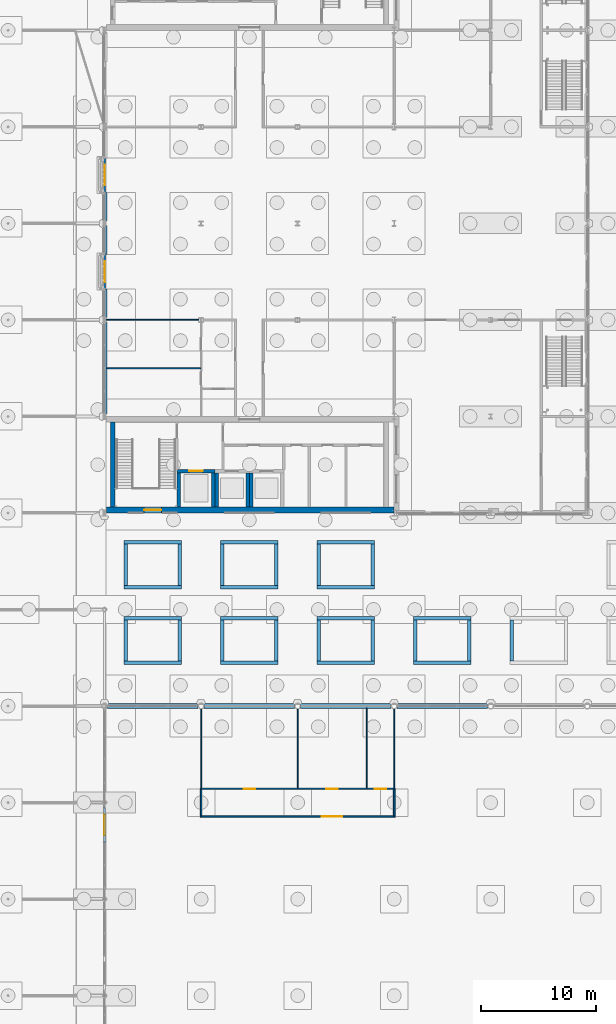
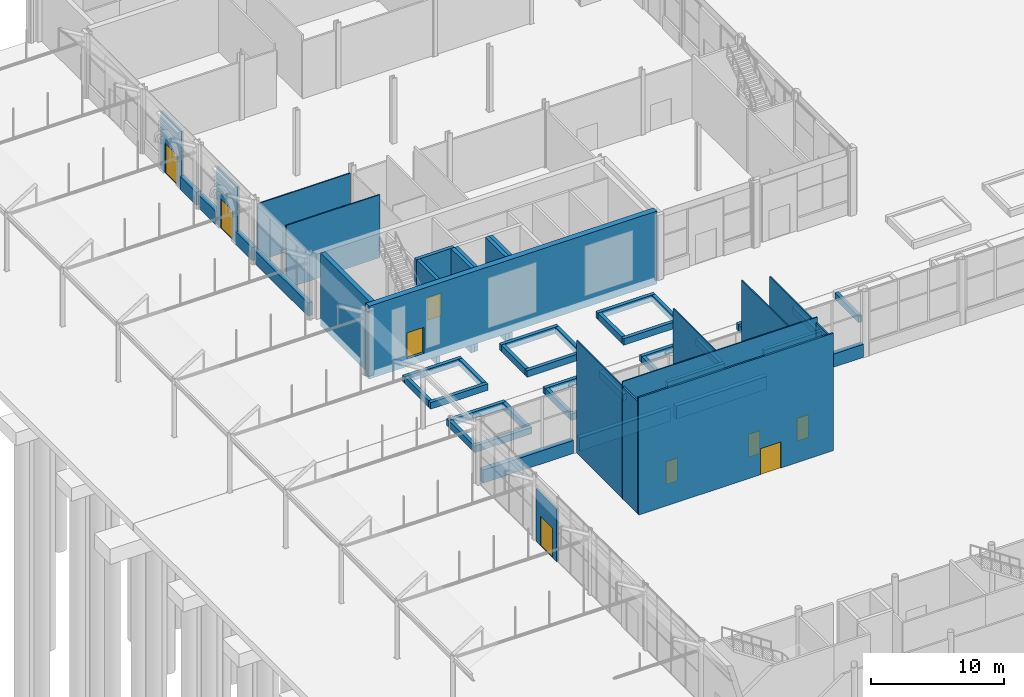
# One storey, part 185 of 212: 58 walls, 9 doors, 9 openings.
"""IFC4 building model written with IfcOpenShell, lengths in metres."""

from ifc_helpers import new_model, si_unit, direction, frame, frame_2d, origin, place, context, subcontext, project, spatial, rectangle, extrude, material, layer, layer_set, type_object, element, fill, save


model = new_model("IFC4")

# Units and contexts
model_context = context("Model", 3, precision=1e-05, world=origin(), true_north=direction((0.0, 1.0)))
body_context = subcontext(model_context, "Body", "Model", "MODEL_VIEW")
ifc_project = project(units=[si_unit("LENGTHUNIT", "METRE"), si_unit("AREAUNIT", "SQUARE_METRE"), si_unit("VOLUMEUNIT", "CUBIC_METRE"), si_unit("PLANEANGLEUNIT", "RADIAN"), si_unit("MASSUNIT", "GRAM", prefix="KILO")], contexts=[model_context])

# Site, building, storey
site_placement = place(None, origin())
site = spatial("IfcSite", under=ifc_project, at=site_placement, CompositionType="ELEMENT")
building_placement = place(site_placement, origin())
building = spatial("IfcBuilding", under=site, at=building_placement, Name="Catenary Quay Ferry Terminal", CompositionType="ELEMENT")
storey_placement = place(building_placement, origin())
storey = spatial("IfcBuildingStorey", under=building, at=storey_placement, Name="L00", CompositionType="ELEMENT", Elevation=0.0)

# Wall
ifc_material_1 = material(Name="Concrete C50/60", Category="concrete")
ifc_layer_1 = layer(ifc_material_1, 0.39990234375)
ifc_layer_set_1 = layer_set([ifc_layer_1], Name="Core wall 400")
wall_type_1 = type_object("IfcWallType", Name="Core wall 400", PredefinedType="SHEAR", material=ifc_layer_set_1)
wall_1_placement = place(storey_placement, frame((25.89990234375, 160.10009765625, -0.699951171875), z_axis=(0.0, 0.0, 1.0), x_axis=(0.0, 1.0, 0.0)))
element("IfcWall", 1, at=wall_1_placement, inside=storey, type_object=wall_type_1, Name="Core wall S3", PredefinedType="SHEAR", context=body_context, shape_type="SweptSolid", body=[
    extrude(rectangle(XDim=7.39990234375, YDim=0.39990234375, at=frame_2d((3.699951171875, 0.0))), origin(), (0.0, 0.0, 1.0), 6.699951171875),
])

# Wall, opening, door
ifc_material_2 = material(Name="Concrete C50/60", Category="concrete")
ifc_layer_2 = layer(ifc_material_2, 0.5)
ifc_layer_set_2 = layer_set([ifc_layer_2], Name="Core wall 500")
wall_type_2 = type_object("IfcWallType", Name="Core wall 500", PredefinedType="SHEAR", material=ifc_layer_set_2)
wall_2_placement = place(storey_placement, frame((25.35009765625, 159.85009765625, -0.699951171875), z_axis=(0.0, 0.0, 1.0), x_axis=(1.0, 0.0, 0.0)))
wall_2 = element("IfcWall", 2, at=wall_2_placement, inside=storey, type_object=wall_type_2, Name="Core wall S1", PredefinedType="SHEAR", context=body_context, shape_type="SweptSolid", body=[
    extrude(rectangle(XDim=25.04296875, YDim=0.5, at=frame_2d((12.521484375, 0.0))), origin(), (0.0, 0.0, 1.0), 6.699951171875),
])
opening_1_placement = place(wall_2_placement, frame((3.300048828125, 0.0, 0.699951171875)))
opening_1 = element("IfcOpeningElement", 3, at=opening_1_placement, cuts=wall_2, Name="Opening D34", PredefinedType="OPENING", context=body_context, shape_type="SweptSolid", body=[
    extrude(rectangle(XDim=1.5, YDim=2.39990234375, at=frame_2d((0.75, 1.199951171875))), frame((0.0, 0.260009765625, 0.0), z_axis=(0.0, -1.0, 0.0), x_axis=(1.0, 0.0, 0.0)), (0.0, 0.0, 1.0), 0.52001953125),
])
ifc_material_3 = material(Name="Steel", Category="steel")
door_type_1 = type_object("IfcDoorType", Name="DXE1500", OperationType="SINGLE_SWING_LEFT", PredefinedType="DOOR", material=ifc_material_3)
door_1_placement = place(opening_1_placement, frame((1.5, 0.0, 0.0), z_axis=(0.0, 0.0, 1.0), x_axis=(-1.0, 0.0, 0.0)))
door_1 = element("IfcDoor", 4, at=door_1_placement, inside=storey, type_object=door_type_1, Name="Stair core door D34", OperationType="SINGLE_SWING_RIGHT", OverallHeight=2.39990234375, OverallWidth=1.5, PredefinedType="DOOR", context=body_context, shape_type="SweptSolid", body=[
    extrude(rectangle(XDim=1.5, YDim=2.39990234375, at=frame_2d((0.75, 1.199951171875))), frame((0.0, 0.02490234375, 0.0), z_axis=(0.0, -1.0, 0.0), x_axis=(1.0, 0.0, 0.0)), (0.0, 0.0, 1.0), 0.050048828125),
])
fill(opening_1, door_1)

# Walls
ifc_material_4 = material(Name="Masonry and insulation", Category="masonry")
ifc_layer_3 = layer(ifc_material_4, 0.39990234375)
ifc_layer_set_3 = layer_set([ifc_layer_3], Name="EW14")
wall_type_3 = type_object("IfcWallType", Name="EW14", PredefinedType="SOLIDWALL", material=ifc_layer_set_3)
wall_3_placement = place(storey_placement, frame((25.4599609375, 142.800048828125, 0.0), z_axis=(0.0, 0.0, 1.0), x_axis=(1.0, 0.0, 0.0)))
element("IfcWall", 5, at=wall_3_placement, inside=storey, type_object=wall_type_3, Name="Plinth hall wall WL20", PredefinedType="SOLIDWALL", context=body_context, shape_type="SweptSolid", body=[
    extrude(rectangle(XDim=7.880126953125, YDim=0.39990234375, at=frame_2d((3.93994140625, 0.0))), origin(), (0.0, 0.0, 1.0), 1.199951171875),
])
for number, where, z_axis, x_axis, name in (
    (6, (33.860107421875, 142.800048828125, 0.0), (0.0, 0.0, 1.0), (1.0, 0.0, 0.0), "Plinth hall wall WL21"),
    (7, (42.260009765625, 142.800048828125, 0.0), (0.0, 0.0, 1.0), (1.0, 0.0, 0.0), "Plinth hall wall WL22"),
):
    element("IfcWall", number, at=place(storey_placement, frame(where, z_axis=z_axis, x_axis=x_axis)), inside=storey, type_object=wall_type_3, Name=name, PredefinedType="SOLIDWALL", context=body_context, shape_type="SweptSolid", body=[
        extrude(rectangle(XDim=7.8798828125, YDim=0.39990234375, at=frame_2d((3.93994140625, 0.0))), origin(), (0.0, 0.0, 1.0), 1.199951171875),
    ])
wall_4_placement = place(storey_placement, frame((50.659912109375, 142.800048828125, 0.0), z_axis=(0.0, 0.0, 1.0), x_axis=(1.0, 0.0, 0.0)))
element("IfcWall", 8, at=wall_4_placement, inside=storey, type_object=wall_type_3, Name="Plinth hall wall WL23", PredefinedType="SOLIDWALL", context=body_context, shape_type="SweptSolid", body=[
    extrude(rectangle(XDim=7.880126953125, YDim=0.39990234375, at=frame_2d((3.93994140625, 0.0))), origin(), (0.0, 0.0, 1.0), 1.199951171875),
])
wall_5_placement = place(storey_placement, frame((25.199951171875, 168.199951171875, 0.0), z_axis=(0.0, 0.0, 1.0), x_axis=(0.0, 1.0, 0.0)))
element("IfcWall", 9, at=wall_5_placement, inside=storey, type_object=wall_type_3, Name="Plinth wing wall WL52", PredefinedType="SOLIDWALL", context=body_context, shape_type="SweptSolid", body=[
    extrude(rectangle(XDim=8.0, YDim=0.39990234375, at=frame_2d((4.0, 0.0))), origin(), (0.0, 0.0, 1.0), 1.199951171875),
])
for number, where, z_axis, x_axis, name in (
    (10, (25.199951171875, 176.60009765625, 0.0), (0.0, 0.0, 1.0), (0.0, 1.0, 0.0), "Plinth wing wall WL53"),
    (11, (25.199951171875, 182.10009765625, 0.0), (0.0, 0.0, 1.0), (0.0, 1.0, 0.0), "Plinth wing wall WL54"),
    (12, (25.199951171875, 185.0, 0.0), (0.0, 0.0, 1.0), (0.0, 1.0, 0.0), "Plinth wing wall WL56"),
):
    element("IfcWall", number, at=place(storey_placement, frame(where, z_axis=z_axis, x_axis=x_axis)), inside=storey, type_object=wall_type_3, Name=name, PredefinedType="SOLIDWALL", context=body_context, shape_type="SweptSolid", body=[
        extrude(rectangle(XDim=2.5, YDim=0.39990234375, at=frame_2d((1.25, 0.0))), origin(), (0.0, 0.0, 1.0), 1.199951171875),
    ])
ifc_material_5 = material(Name="Masonry and insulation", Category="masonry")
ifc_layer_4 = layer(ifc_material_5, 0.300048828125)
ifc_layer_set_4 = layer_set([ifc_layer_4], Name="EW15")
wall_type_4 = type_object("IfcWallType", Name="EW15", PredefinedType="SOLIDWALL", material=ifc_layer_set_4)
for number, where, z_axis, x_axis, name in (
    (13, (26.89990234375, 146.550048828125, 0.0), (0.0, 0.0, 1.0), (1.0, 0.0, 0.0), "Planter court wall WL80"),
    (14, (26.89990234375, 150.449951171875, 0.0), (0.0, 0.0, 1.0), (1.0, 0.0, 0.0), "Planter court wall WL81"),
):
    element("IfcWall", number, at=place(storey_placement, frame(where, z_axis=z_axis, x_axis=x_axis)), inside=storey, type_object=wall_type_4, Name=name, PredefinedType="SOLIDWALL", context=body_context, shape_type="SweptSolid", body=[
        extrude(rectangle(XDim=5.0, YDim=0.300048828125, at=frame_2d((2.5, 0.0))), origin(), (0.0, 0.0, 1.0), 0.60009765625),
    ])
for number, where, z_axis, x_axis, name in (
    (15, (27.050048828125, 146.699951171875, 0.0), (0.0, 0.0, 1.0), (0.0, 1.0, 0.0), "Planter court wall WL82"),
    (16, (31.75, 146.699951171875, 0.0), (0.0, 0.0, 1.0), (0.0, 1.0, 0.0), "Planter court wall WL83"),
):
    element("IfcWall", number, at=place(storey_placement, frame(where, z_axis=z_axis, x_axis=x_axis)), inside=storey, type_object=wall_type_4, Name=name, PredefinedType="SOLIDWALL", context=body_context, shape_type="SweptSolid", body=[
        extrude(rectangle(XDim=3.60009765625, YDim=0.300048828125, at=frame_2d((1.800048828125, 0.0))), origin(), (0.0, 0.0, 1.0), 0.60009765625),
    ])
for number, where, z_axis, x_axis, name in (
    (17, (26.89990234375, 153.14990234375, 0.0), (0.0, 0.0, 1.0), (1.0, 0.0, 0.0), "Planter court wall WL84"),
    (18, (26.89990234375, 157.050048828125, 0.0), (0.0, 0.0, 1.0), (1.0, 0.0, 0.0), "Planter court wall WL85"),
):
    element("IfcWall", number, at=place(storey_placement, frame(where, z_axis=z_axis, x_axis=x_axis)), inside=storey, type_object=wall_type_4, Name=name, PredefinedType="SOLIDWALL", context=body_context, shape_type="SweptSolid", body=[
        extrude(rectangle(XDim=5.0, YDim=0.300048828125, at=frame_2d((2.5, 0.0))), origin(), (0.0, 0.0, 1.0), 0.60009765625),
    ])
for number, where, z_axis, x_axis, name in (
    (19, (27.050048828125, 153.300048828125, 0.0), (0.0, 0.0, 1.0), (0.0, 1.0, 0.0), "Planter court wall WL86"),
    (20, (31.75, 153.300048828125, 0.0), (0.0, 0.0, 1.0), (0.0, 1.0, 0.0), "Planter court wall WL87"),
):
    element("IfcWall", number, at=place(storey_placement, frame(where, z_axis=z_axis, x_axis=x_axis)), inside=storey, type_object=wall_type_4, Name=name, PredefinedType="SOLIDWALL", context=body_context, shape_type="SweptSolid", body=[
        extrude(rectangle(XDim=3.599853515625, YDim=0.300048828125, at=frame_2d((1.7998046875, 0.0))), origin(), (0.0, 0.0, 1.0), 0.60009765625),
    ])
for number, where, z_axis, x_axis, name in (
    (21, (35.300048828125, 146.550048828125, 0.0), (0.0, 0.0, 1.0), (1.0, 0.0, 0.0), "Planter court wall WL88"),
    (22, (35.300048828125, 150.449951171875, 0.0), (0.0, 0.0, 1.0), (1.0, 0.0, 0.0), "Planter court wall WL89"),
):
    element("IfcWall", number, at=place(storey_placement, frame(where, z_axis=z_axis, x_axis=x_axis)), inside=storey, type_object=wall_type_4, Name=name, PredefinedType="SOLIDWALL", context=body_context, shape_type="SweptSolid", body=[
        extrude(rectangle(XDim=5.0, YDim=0.300048828125, at=frame_2d((2.5, 0.0))), origin(), (0.0, 0.0, 1.0), 0.60009765625),
    ])
for number, where, z_axis, x_axis, name in (
    (23, (35.449951171875, 146.699951171875, 0.0), (0.0, 0.0, 1.0), (0.0, 1.0, 0.0), "Planter court wall WL90"),
    (24, (40.14990234375, 146.699951171875, 0.0), (0.0, 0.0, 1.0), (0.0, 1.0, 0.0), "Planter court wall WL91"),
):
    element("IfcWall", number, at=place(storey_placement, frame(where, z_axis=z_axis, x_axis=x_axis)), inside=storey, type_object=wall_type_4, Name=name, PredefinedType="SOLIDWALL", context=body_context, shape_type="SweptSolid", body=[
        extrude(rectangle(XDim=3.60009765625, YDim=0.300048828125, at=frame_2d((1.800048828125, 0.0))), origin(), (0.0, 0.0, 1.0), 0.60009765625),
    ])
for number, where, z_axis, x_axis, name in (
    (25, (35.300048828125, 153.14990234375, 0.0), (0.0, 0.0, 1.0), (1.0, 0.0, 0.0), "Planter court wall WL92"),
    (26, (35.300048828125, 157.050048828125, 0.0), (0.0, 0.0, 1.0), (1.0, 0.0, 0.0), "Planter court wall WL93"),
):
    element("IfcWall", number, at=place(storey_placement, frame(where, z_axis=z_axis, x_axis=x_axis)), inside=storey, type_object=wall_type_4, Name=name, PredefinedType="SOLIDWALL", context=body_context, shape_type="SweptSolid", body=[
        extrude(rectangle(XDim=5.0, YDim=0.300048828125, at=frame_2d((2.5, 0.0))), origin(), (0.0, 0.0, 1.0), 0.60009765625),
    ])
for number, where, z_axis, x_axis, name in (
    (27, (35.449951171875, 153.300048828125, 0.0), (0.0, 0.0, 1.0), (0.0, 1.0, 0.0), "Planter court wall WL94"),
    (28, (40.14990234375, 153.300048828125, 0.0), (0.0, 0.0, 1.0), (0.0, 1.0, 0.0), "Planter court wall WL95"),
):
    element("IfcWall", number, at=place(storey_placement, frame(where, z_axis=z_axis, x_axis=x_axis)), inside=storey, type_object=wall_type_4, Name=name, PredefinedType="SOLIDWALL", context=body_context, shape_type="SweptSolid", body=[
        extrude(rectangle(XDim=3.599853515625, YDim=0.300048828125, at=frame_2d((1.7998046875, 0.0))), origin(), (0.0, 0.0, 1.0), 0.60009765625),
    ])
for number, where, z_axis, x_axis, name in (
    (29, (43.699951171875, 146.550048828125, 0.0), (0.0, 0.0, 1.0), (1.0, 0.0, 0.0), "Planter court wall WL96"),
    (30, (43.699951171875, 150.449951171875, 0.0), (0.0, 0.0, 1.0), (1.0, 0.0, 0.0), "Planter court wall WL97"),
):
    element("IfcWall", number, at=place(storey_placement, frame(where, z_axis=z_axis, x_axis=x_axis)), inside=storey, type_object=wall_type_4, Name=name, PredefinedType="SOLIDWALL", context=body_context, shape_type="SweptSolid", body=[
        extrude(rectangle(XDim=5.0, YDim=0.300048828125, at=frame_2d((2.5, 0.0))), origin(), (0.0, 0.0, 1.0), 0.60009765625),
    ])
for number, where, z_axis, x_axis, name in (
    (31, (43.85009765625, 146.699951171875, 0.0), (0.0, 0.0, 1.0), (0.0, 1.0, 0.0), "Planter court wall WL98"),
    (32, (48.550048828125, 146.699951171875, 0.0), (0.0, 0.0, 1.0), (0.0, 1.0, 0.0), "Planter court wall WL99"),
):
    element("IfcWall", number, at=place(storey_placement, frame(where, z_axis=z_axis, x_axis=x_axis)), inside=storey, type_object=wall_type_4, Name=name, PredefinedType="SOLIDWALL", context=body_context, shape_type="SweptSolid", body=[
        extrude(rectangle(XDim=3.60009765625, YDim=0.300048828125, at=frame_2d((1.800048828125, 0.0))), origin(), (0.0, 0.0, 1.0), 0.60009765625),
    ])
for number, where, z_axis, x_axis, name in (
    (33, (43.699951171875, 153.14990234375, 0.0), (0.0, 0.0, 1.0), (1.0, 0.0, 0.0), "Planter court wall WL100"),
    (34, (43.699951171875, 157.050048828125, 0.0), (0.0, 0.0, 1.0), (1.0, 0.0, 0.0), "Planter court wall WL101"),
):
    element("IfcWall", number, at=place(storey_placement, frame(where, z_axis=z_axis, x_axis=x_axis)), inside=storey, type_object=wall_type_4, Name=name, PredefinedType="SOLIDWALL", context=body_context, shape_type="SweptSolid", body=[
        extrude(rectangle(XDim=5.0, YDim=0.300048828125, at=frame_2d((2.5, 0.0))), origin(), (0.0, 0.0, 1.0), 0.60009765625),
    ])
for number, where, z_axis, x_axis, name in (
    (35, (43.85009765625, 153.300048828125, 0.0), (0.0, 0.0, 1.0), (0.0, 1.0, 0.0), "Planter court wall WL102"),
    (36, (48.550048828125, 153.300048828125, 0.0), (0.0, 0.0, 1.0), (0.0, 1.0, 0.0), "Planter court wall WL103"),
):
    element("IfcWall", number, at=place(storey_placement, frame(where, z_axis=z_axis, x_axis=x_axis)), inside=storey, type_object=wall_type_4, Name=name, PredefinedType="SOLIDWALL", context=body_context, shape_type="SweptSolid", body=[
        extrude(rectangle(XDim=3.599853515625, YDim=0.300048828125, at=frame_2d((1.7998046875, 0.0))), origin(), (0.0, 0.0, 1.0), 0.60009765625),
    ])
for number, where, z_axis, x_axis, name in (
    (37, (52.10009765625, 146.550048828125, 0.0), (0.0, 0.0, 1.0), (1.0, 0.0, 0.0), "Planter court wall WL104"),
    (38, (52.10009765625, 150.449951171875, 0.0), (0.0, 0.0, 1.0), (1.0, 0.0, 0.0), "Planter court wall WL105"),
):
    element("IfcWall", number, at=place(storey_placement, frame(where, z_axis=z_axis, x_axis=x_axis)), inside=storey, type_object=wall_type_4, Name=name, PredefinedType="SOLIDWALL", context=body_context, shape_type="SweptSolid", body=[
        extrude(rectangle(XDim=5.0, YDim=0.300048828125, at=frame_2d((2.5, 0.0))), origin(), (0.0, 0.0, 1.0), 0.60009765625),
    ])
for number, where, z_axis, x_axis, name in (
    (39, (52.25, 146.699951171875, 0.0), (0.0, 0.0, 1.0), (0.0, 1.0, 0.0), "Planter court wall WL106"),
    (40, (56.949951171875, 146.699951171875, 0.0), (0.0, 0.0, 1.0), (0.0, 1.0, 0.0), "Planter court wall WL107"),
    (41, (60.64990234375, 146.699951171875, 0.0), (0.0, 0.0, 1.0), (0.0, 1.0, 0.0), "Planter court wall WL110"),
):
    element("IfcWall", number, at=place(storey_placement, frame(where, z_axis=z_axis, x_axis=x_axis)), inside=storey, type_object=wall_type_4, Name=name, PredefinedType="SOLIDWALL", context=body_context, shape_type="SweptSolid", body=[
        extrude(rectangle(XDim=3.60009765625, YDim=0.300048828125, at=frame_2d((1.800048828125, 0.0))), origin(), (0.0, 0.0, 1.0), 0.60009765625),
    ])

# Wall, opening, door
ifc_material_6 = material(Name="Masonry and insulation", Category="masonry")
ifc_layer_5 = layer(ifc_material_6, 0.199951171875)
ifc_layer_set_5 = layer_set([ifc_layer_5], Name="EW6")
wall_type_5 = type_object("IfcWallType", Name="EW6", PredefinedType="SOLIDWALL", material=ifc_layer_set_5)
wall_6_placement = place(storey_placement, frame((25.199951171875, 130.89501953125, 0.0), z_axis=(0.0, 0.0, 1.0), x_axis=(0.0, 1.0, 0.0)))
wall_6 = element("IfcWall", 42, at=wall_6_placement, inside=storey, type_object=wall_type_5, Name="Gable departure hall wall WL6", PredefinedType="SOLIDWALL", context=body_context, shape_type="SweptSolid", body=[
    extrude(rectangle(XDim=3.10986328125, YDim=0.199951171875, at=frame_2d((1.554931640625, 0.0))), origin(), (0.0, 0.0, 1.0), 4.873291015625),
])
opening_2_placement = place(wall_6_placement, frame((0.655029296875, 0.0, 0.0)))
opening_2 = element("IfcOpeningElement", 43, at=opening_2_placement, cuts=wall_6, Name="Opening D6", PredefinedType="OPENING", context=body_context, shape_type="SweptSolid", body=[
    extrude(rectangle(XDim=1.800048828125, YDim=2.699951171875, at=frame_2d((0.89990234375, 1.35009765625))), frame((0.0, 0.10986328125, 0.0), z_axis=(0.0, -1.0, 0.0), x_axis=(1.0, 0.0, 0.0)), (0.0, 0.0, 1.0), 0.219970703125),
])
ifc_material_7 = material(Name="Aluminium and glass", Category="aluminium")
door_type_2 = type_object("IfcDoorType", Name="DXT1800", OperationType="SLIDING_TO_LEFT", PredefinedType="DOOR", material=ifc_material_7)
door_2_placement = place(opening_2_placement, origin())
door_2 = element("IfcDoor", 44, at=door_2_placement, inside=storey, type_object=door_type_2, Name="Gable departure hall door D6", OperationType="SLIDING_TO_LEFT", OverallHeight=2.699951171875, OverallWidth=1.800048828125, PredefinedType="DOOR", context=body_context, shape_type="SweptSolid", body=[
    extrude(rectangle(XDim=1.800048828125, YDim=2.699951171875, at=frame_2d((0.89990234375, 1.35009765625))), frame((0.0, 0.02490234375, 0.0), z_axis=(0.0, -1.0, 0.0), x_axis=(1.0, 0.0, 0.0)), (0.0, 0.0, 1.0), 0.050048828125),
])
fill(opening_2, door_2)

wall_7_placement = place(storey_placement, frame((25.199951171875, 179.034912109375, 0.0), z_axis=(0.0, 0.0, 1.0), x_axis=(0.0, 1.0, 0.0)))
wall_7 = element("IfcWall", 45, at=wall_7_placement, inside=storey, type_object=wall_type_5, Name="Front wing wall WL55", PredefinedType="SOLIDWALL", context=body_context, shape_type="SweptSolid", body=[
    extrude(rectangle(XDim=3.130126953125, YDim=0.199951171875, at=frame_2d((1.56494140625, 0.0))), origin(), (0.0, 0.0, 1.0), 5.271728515625),
])
opening_3_placement = place(wall_7_placement, frame((0.6650390625, 0.0, 0.0)))
opening_3 = element("IfcOpeningElement", 46, at=opening_3_placement, cuts=wall_7, Name="Opening D20", PredefinedType="OPENING", context=body_context, shape_type="SweptSolid", body=[
    extrude(rectangle(XDim=1.800048828125, YDim=2.699951171875, at=frame_2d((0.89990234375, 1.35009765625))), frame((0.0, 0.10986328125, 0.0), z_axis=(0.0, -1.0, 0.0), x_axis=(1.0, 0.0, 0.0)), (0.0, 0.0, 1.0), 0.219970703125),
])
ifc_material_8 = material(Name="Aluminium and glass", Category="aluminium")
door_type_3 = type_object("IfcDoorType", Name="DXH1800", OperationType="DOUBLE_DOOR_DOUBLE_SWING", PredefinedType="DOOR", material=ifc_material_8)
door_3_placement = place(opening_3_placement, origin())
door_3 = element("IfcDoor", 47, at=door_3_placement, inside=storey, type_object=door_type_3, Name="Front wing door D20", OperationType="DOUBLE_DOOR_DOUBLE_SWING", OverallHeight=2.699951171875, OverallWidth=1.800048828125, PredefinedType="DOOR", context=body_context, shape_type="SweptSolid", body=[
    extrude(rectangle(XDim=1.800048828125, YDim=2.699951171875, at=frame_2d((0.89990234375, 1.35009765625))), frame((0.0, 0.02490234375, 0.0), z_axis=(0.0, -1.0, 0.0), x_axis=(1.0, 0.0, 0.0)), (0.0, 0.0, 1.0), 0.050048828125),
])
fill(opening_3, door_3)

wall_8_placement = place(storey_placement, frame((25.199951171875, 187.43505859375, 0.0), z_axis=(0.0, 0.0, 1.0), x_axis=(0.0, 1.0, 0.0)))
wall_8 = element("IfcWall", 48, at=wall_8_placement, inside=storey, type_object=wall_type_5, Name="Front wing wall WL58", PredefinedType="SOLIDWALL", context=body_context, shape_type="SweptSolid", body=[
    extrude(rectangle(XDim=3.1298828125, YDim=0.199951171875, at=frame_2d((1.56494140625, 0.0))), origin(), (0.0, 0.0, 1.0), 5.271728515625),
])
opening_4_placement = place(wall_8_placement, frame((0.6650390625, 0.0, 0.0)))
opening_4 = element("IfcOpeningElement", 49, at=opening_4_placement, cuts=wall_8, Name="Opening D21", PredefinedType="OPENING", context=body_context, shape_type="SweptSolid", body=[
    extrude(rectangle(XDim=1.800048828125, YDim=2.699951171875, at=frame_2d((0.89990234375, 1.35009765625))), frame((0.0, 0.10986328125, 0.0), z_axis=(0.0, -1.0, 0.0), x_axis=(1.0, 0.0, 0.0)), (0.0, 0.0, 1.0), 0.219970703125),
])
door_4_placement = place(opening_4_placement, origin())
door_4 = element("IfcDoor", 50, at=door_4_placement, inside=storey, type_object=door_type_3, Name="Front wing door D21", OperationType="DOUBLE_DOOR_DOUBLE_SWING", OverallHeight=2.699951171875, OverallWidth=1.800048828125, PredefinedType="DOOR", context=body_context, shape_type="SweptSolid", body=[
    extrude(rectangle(XDim=1.800048828125, YDim=2.699951171875, at=frame_2d((0.89990234375, 1.35009765625))), frame((0.0, 0.02490234375, 0.0), z_axis=(0.0, -1.0, 0.0), x_axis=(1.0, 0.0, 0.0)), (0.0, 0.0, 1.0), 0.050048828125),
])
fill(opening_4, door_4)

ifc_material_9 = material(Name="Plasterboard on steel studs", Category="steel")
ifc_layer_6 = layer(ifc_material_9, 0.14990234375)
ifc_layer_set_6 = layer_set([ifc_layer_6], Name="IP7")
wall_type_6 = type_object("IfcWallType", Name="IP7", PredefinedType="PARTITIONING", material=ifc_layer_set_6)
wall_9_placement = place(storey_placement, frame((33.52490234375, 133.199951171875, 0.0), z_axis=(0.0, 0.0, 1.0), x_axis=(1.0, 0.0, 0.0)))
wall_9 = element("IfcWall", 51, at=wall_9_placement, inside=storey, type_object=wall_type_6, Name="Partition L00 39", PredefinedType="PARTITIONING", context=body_context, shape_type="SweptSolid", body=[
    extrude(rectangle(XDim=16.9501953125, YDim=0.14990234375, at=frame_2d((8.47509765625, 0.0))), origin(), (0.0, 0.0, 1.0), 10.800048828125),
])
opening_5_placement = place(wall_9_placement, frame((10.574951171875, 0.0, 0.0)))
opening_5 = element("IfcOpeningElement", 52, at=opening_5_placement, cuts=wall_9, Name="Opening D50", PredefinedType="OPENING", context=body_context, shape_type="SweptSolid", body=[
    extrude(rectangle(XDim=1.800048828125, YDim=2.39990234375, at=frame_2d((0.89990234375, 1.199951171875))), frame((0.0, 0.0849609375, 0.0), z_axis=(0.0, -1.0, 0.0), x_axis=(1.0, 0.0, 0.0)), (0.0, 0.0, 1.0), 0.169921875),
])
ifc_material_10 = material(Name="Aluminium and glass", Category="aluminium")
door_type_4 = type_object("IfcDoorType", Name="DI6", OperationType="DOUBLE_DOOR_SINGLE_SWING", PredefinedType="DOOR", material=ifc_material_10)
door_5_placement = place(opening_5_placement, origin())
door_5 = element("IfcDoor", 53, at=door_5_placement, inside=storey, type_object=door_type_4, Name="Departure WC Lobby to Departure Hall", OperationType="DOUBLE_DOOR_SINGLE_SWING", OverallHeight=2.39990234375, OverallWidth=1.800048828125, PredefinedType="DOOR", context=body_context, shape_type="SweptSolid", body=[
    extrude(rectangle(XDim=1.800048828125, YDim=2.39990234375, at=frame_2d((0.89990234375, 1.199951171875))), frame((0.0, 0.02490234375, 0.0), z_axis=(0.0, -1.0, 0.0), x_axis=(1.0, 0.0, 0.0)), (0.0, 0.0, 1.0), 0.050048828125),
])
fill(opening_5, door_5)

# Walls
for number, where, z_axis, x_axis, name in (
    (54, (33.60009765625, 133.27490234375, 0.0), (0.0, 0.0, 1.0), (0.0, 1.0, 0.0), "Partition L00 71"),
    (55, (50.39990234375, 133.27490234375, 0.0), (0.0, 0.0, 1.0), (0.0, 1.0, 0.0), "Partition L00 94"),
):
    element("IfcWall", number, at=place(storey_placement, frame(where, z_axis=z_axis, x_axis=x_axis)), inside=storey, type_object=wall_type_6, Name=name, PredefinedType="PARTITIONING", context=body_context, shape_type="SweptSolid", body=[
        extrude(rectangle(XDim=2.275146484375, YDim=0.14990234375, at=frame_2d((1.1376953125, 0.0))), origin(), (0.0, 0.0, 1.0), 10.338134765625),
    ])

# Wall, openings, doors
ifc_material_11 = material(Name="Plasterboard on steel studs", Category="steel")
ifc_layer_7 = layer(ifc_material_11, 0.10009765625)
ifc_layer_set_7 = layer_set([ifc_layer_7], Name="IP8")
wall_type_7 = type_object("IfcWallType", Name="IP8", PredefinedType="PARTITIONING", material=ifc_layer_set_7)
wall_10_placement = place(storey_placement, frame((33.52490234375, 135.60009765625, 0.0), z_axis=(0.0, 0.0, 1.0), x_axis=(1.0, 0.0, 0.0)))
wall_10 = element("IfcWall", 56, at=wall_10_placement, inside=storey, type_object=wall_type_7, Name="Partition L00 40", PredefinedType="PARTITIONING", context=body_context, shape_type="SweptSolid", body=[
    extrude(rectangle(XDim=16.9501953125, YDim=0.10009765625, at=frame_2d((8.47509765625, 0.0))), origin(), (0.0, 0.0, 1.0), 10.800048828125),
])
opening_6_placement = place(wall_10_placement, frame((3.77490234375, 0.0, 0.0)))
opening_6 = element("IfcOpeningElement", 57, at=opening_6_placement, cuts=wall_10, Name="Opening D47", PredefinedType="OPENING", context=body_context, shape_type="SweptSolid", body=[
    extrude(rectangle(XDim=1.0, YDim=2.10009765625, at=frame_2d((0.5, 1.050048828125))), frame((0.0, 0.06005859375, 0.0), z_axis=(0.0, -1.0, 0.0), x_axis=(1.0, 0.0, 0.0)), (0.0, 0.0, 1.0), 0.1201171875),
])
opening_7_placement = place(wall_10_placement, frame((10.97509765625, 0.0, 0.0)))
opening_7 = element("IfcOpeningElement", 58, at=opening_7_placement, cuts=wall_10, Name="Opening D48", PredefinedType="OPENING", context=body_context, shape_type="SweptSolid", body=[
    extrude(rectangle(XDim=1.0, YDim=2.10009765625, at=frame_2d((0.5, 1.050048828125))), frame((0.0, 0.06005859375, 0.0), z_axis=(0.0, -1.0, 0.0), x_axis=(1.0, 0.0, 0.0)), (0.0, 0.0, 1.0), 0.1201171875),
])
opening_8_placement = place(wall_10_placement, frame((15.175048828125, 0.0, 0.0)))
opening_8 = element("IfcOpeningElement", 59, at=opening_8_placement, cuts=wall_10, Name="Opening D49", PredefinedType="OPENING", context=body_context, shape_type="SweptSolid", body=[
    extrude(rectangle(XDim=1.0, YDim=2.10009765625, at=frame_2d((0.5, 1.050048828125))), frame((0.0, 0.06005859375, 0.0), z_axis=(0.0, -1.0, 0.0), x_axis=(1.0, 0.0, 0.0)), (0.0, 0.0, 1.0), 0.1201171875),
])
ifc_material_12 = material(Name="Timber", Category="wood")
door_type_5 = type_object("IfcDoorType", Name="DI8", OperationType="SINGLE_SWING_LEFT", PredefinedType="DOOR", material=ifc_material_12)
door_6_placement = place(opening_6_placement, origin())
door_6 = element("IfcDoor", 60, at=door_6_placement, inside=storey, type_object=door_type_5, Name="Departure Women WC to Departure WC Lobby", OperationType="SINGLE_SWING_LEFT", OverallHeight=2.10009765625, OverallWidth=1.0, PredefinedType="DOOR", context=body_context, shape_type="SweptSolid", body=[
    extrude(rectangle(XDim=1.0, YDim=2.10009765625, at=frame_2d((0.5, 1.050048828125))), frame((0.0, 0.02490234375, 0.0), z_axis=(0.0, -1.0, 0.0), x_axis=(1.0, 0.0, 0.0)), (0.0, 0.0, 1.0), 0.050048828125),
])
fill(opening_6, door_6)
door_7_placement = place(opening_7_placement, origin())
door_7 = element("IfcDoor", 61, at=door_7_placement, inside=storey, type_object=door_type_5, Name="Departure Men WC to Departure WC Lobby", OperationType="SINGLE_SWING_LEFT", OverallHeight=2.10009765625, OverallWidth=1.0, PredefinedType="DOOR", context=body_context, shape_type="SweptSolid", body=[
    extrude(rectangle(XDim=1.0, YDim=2.10009765625, at=frame_2d((0.5, 1.050048828125))), frame((0.0, 0.02490234375, 0.0), z_axis=(0.0, -1.0, 0.0), x_axis=(1.0, 0.0, 0.0)), (0.0, 0.0, 1.0), 0.050048828125),
])
fill(opening_7, door_7)
door_8_placement = place(opening_8_placement, origin())
door_8 = element("IfcDoor", 62, at=door_8_placement, inside=storey, type_object=door_type_5, Name="Departure Accessible WC to Departure WC Lobby", OperationType="SINGLE_SWING_LEFT", OverallHeight=2.10009765625, OverallWidth=1.0, PredefinedType="DOOR", context=body_context, shape_type="SweptSolid", body=[
    extrude(rectangle(XDim=1.0, YDim=2.10009765625, at=frame_2d((0.5, 1.050048828125))), frame((0.0, 0.02490234375, 0.0), z_axis=(0.0, -1.0, 0.0), x_axis=(1.0, 0.0, 0.0)), (0.0, 0.0, 1.0), 0.050048828125),
])
fill(opening_8, door_8)

# Walls
wall_11_placement = place(storey_placement, frame((25.39990234375, 172.199951171875, 0.0), z_axis=(0.0, 0.0, 1.0), x_axis=(1.0, 0.0, 0.0)))
element("IfcWall", 63, at=wall_11_placement, inside=storey, type_object=wall_type_7, Name="Partition L00 46", PredefinedType="PARTITIONING", context=body_context, shape_type="SweptSolid", body=[
    extrude(rectangle(XDim=8.150146484375, YDim=0.10009765625, at=frame_2d((4.0751953125, 0.0))), origin(), (0.0, 0.0, 1.0), 5.800048828125),
])
wall_12_placement = place(storey_placement, frame((25.35009765625, 176.39990234375, 0.0), z_axis=(0.0, 0.0, 1.0), x_axis=(1.0, 0.0, 0.0)))
element("IfcWall", 64, at=wall_12_placement, inside=storey, type_object=wall_type_7, Name="Partition L00 47", PredefinedType="PARTITIONING", context=body_context, shape_type="SweptSolid", body=[
    extrude(rectangle(XDim=8.0478515625, YDim=0.10009765625, at=frame_2d((4.02392578125, 0.0))), origin(), (0.0, 0.0, 1.0), 5.271728515625),
])
for number, where, z_axis, x_axis, name in (
    (65, (33.60009765625, 135.64990234375, 0.0), (0.0, 0.0, 1.0), (0.0, 1.0, 0.0), "Partition L00 72"),
    (66, (42.0, 135.64990234375, 0.0), (0.0, 0.0, 1.0), (0.0, 1.0, 0.0), "Partition L00 85"),
):
    element("IfcWall", number, at=place(storey_placement, frame(where, z_axis=z_axis, x_axis=x_axis)), inside=storey, type_object=wall_type_7, Name=name, PredefinedType="PARTITIONING", context=body_context, shape_type="SweptSolid", body=[
        extrude(rectangle(XDim=6.89599609375, YDim=0.10009765625, at=frame_2d((3.447998046875, 0.0))), origin(), (0.0, 0.0, 1.0), 10.338134765625),
    ])
wall_13_placement = place(storey_placement, frame((48.0, 135.64990234375, 0.0), z_axis=(0.0, 0.0, 1.0), x_axis=(0.0, 1.0, 0.0)))
element("IfcWall", 67, at=wall_13_placement, inside=storey, type_object=wall_type_7, Name="Partition L00 91", PredefinedType="PARTITIONING", context=body_context, shape_type="SweptSolid", body=[
    extrude(rectangle(XDim=6.9501953125, YDim=0.10009765625, at=frame_2d((3.47509765625, 0.0))), origin(), (0.0, 0.0, 1.0), 10.800048828125),
])
wall_14_placement = place(storey_placement, frame((50.39990234375, 135.64990234375, 0.0), z_axis=(0.0, 0.0, 1.0), x_axis=(0.0, 1.0, 0.0)))
element("IfcWall", 68, at=wall_14_placement, inside=storey, type_object=wall_type_7, Name="Partition L00 95", PredefinedType="PARTITIONING", context=body_context, shape_type="SweptSolid", body=[
    extrude(rectangle(XDim=6.89599609375, YDim=0.10009765625, at=frame_2d((3.447998046875, 0.0))), origin(), (0.0, 0.0, 1.0), 10.338134765625),
])
ifc_material_13 = material(Name="Concrete C50/60", Category="concrete")
ifc_layer_8 = layer(ifc_material_13, 0.300048828125)
ifc_layer_set_8 = layer_set([ifc_layer_8], Name="Shaft wall 300")
wall_type_8 = type_object("IfcWallType", Name="Shaft wall 300", PredefinedType="SHEAR", material=ifc_layer_set_8)
for number, where, z_axis, x_axis, name in (
    (69, (34.64990234375, 160.10009765625, -1.800048828125), (0.0, 0.0, 1.0), (0.0, 1.0, 0.0), "Shaft wall FL1 E"),
    (70, (31.64990234375, 160.10009765625, -1.800048828125), (0.0, 0.0, 1.0), (0.0, 1.0, 0.0), "Shaft wall FL1 W"),
):
    element("IfcWall", number, at=place(storey_placement, frame(where, z_axis=z_axis, x_axis=x_axis)), inside=storey, type_object=wall_type_8, Name=name, PredefinedType="SHEAR", context=body_context, shape_type="SweptSolid", body=[
        extrude(rectangle(XDim=3.0, YDim=0.300048828125, at=frame_2d((1.5, 0.0))), origin(), (0.0, 0.0, 1.0), 7.800048828125),
    ])

# Wall, opening, door
wall_15_placement = place(storey_placement, frame((31.5, 163.25, -1.800048828125), z_axis=(0.0, 0.0, 1.0), x_axis=(1.0, 0.0, 0.0)))
wall_15 = element("IfcWall", 71, at=wall_15_placement, inside=storey, type_object=wall_type_8, Name="Shaft wall FL1 N", PredefinedType="SHEAR", context=body_context, shape_type="SweptSolid", body=[
    extrude(rectangle(XDim=3.300048828125, YDim=0.300048828125, at=frame_2d((1.64990234375, 0.0))), origin(), (0.0, 0.0, 1.0), 7.800048828125),
])
opening_9_placement = place(wall_15_placement, frame((1.050048828125, 0.0, 1.800048828125)))
opening_9 = element("IfcOpeningElement", 72, at=opening_9_placement, cuts=wall_15, Name="Opening LD5", PredefinedType="OPENING", context=body_context, shape_type="SweptSolid", body=[
    extrude(rectangle(XDim=1.199951171875, YDim=2.10009765625, at=frame_2d((0.60009765625, 1.050048828125))), frame((0.0, 0.159912109375, 0.0), z_axis=(0.0, -1.0, 0.0), x_axis=(1.0, 0.0, 0.0)), (0.0, 0.0, 1.0), 0.320068359375),
])
ifc_material_14 = material(Name="Stainless steel", Category="steel")
door_type_6 = type_object("IfcDoorType", Name="DL2", OperationType="SLIDING_TO_LEFT", PredefinedType="DOOR", material=ifc_material_14)
door_9_placement = place(opening_9_placement, origin())
door_9 = element("IfcDoor", 73, at=door_9_placement, inside=storey, type_object=door_type_6, Name="Lift FL1 landing door L00", OperationType="SLIDING_TO_LEFT", OverallHeight=2.10009765625, OverallWidth=1.199951171875, PredefinedType="DOOR", context=body_context, shape_type="SweptSolid", body=[
    extrude(rectangle(XDim=1.199951171875, YDim=2.10009765625, at=frame_2d((0.60009765625, 1.050048828125))), frame((0.0, 0.02490234375, 0.0), z_axis=(0.0, -1.0, 0.0), x_axis=(1.0, 0.0, 0.0)), (0.0, 0.0, 1.0), 0.050048828125),
])
fill(opening_9, door_9)

# Walls
for number, where, z_axis, x_axis, name in (
    (74, (37.64990234375, 160.10009765625, -1.800048828125), (0.0, 0.0, 1.0), (0.0, 1.0, 0.0), "Shaft wall GL1 E"),
    (75, (34.949951171875, 160.10009765625, -1.800048828125), (0.0, 0.0, 1.0), (0.0, 1.0, 0.0), "Shaft wall GL1 W"),
    (76, (37.949951171875, 160.10009765625, -1.800048828125), (0.0, 0.0, 1.0), (0.0, 1.0, 0.0), "Shaft wall GL2 W"),
):
    element("IfcWall", number, at=place(storey_placement, frame(where, z_axis=z_axis, x_axis=x_axis)), inside=storey, type_object=wall_type_8, Name=name, PredefinedType="SHEAR", context=body_context, shape_type="SweptSolid", body=[
        extrude(rectangle(XDim=3.0, YDim=0.300048828125, at=frame_2d((1.5, 0.0))), origin(), (0.0, 0.0, 1.0), 7.800048828125),
    ])

save(model, "model.ifc")
